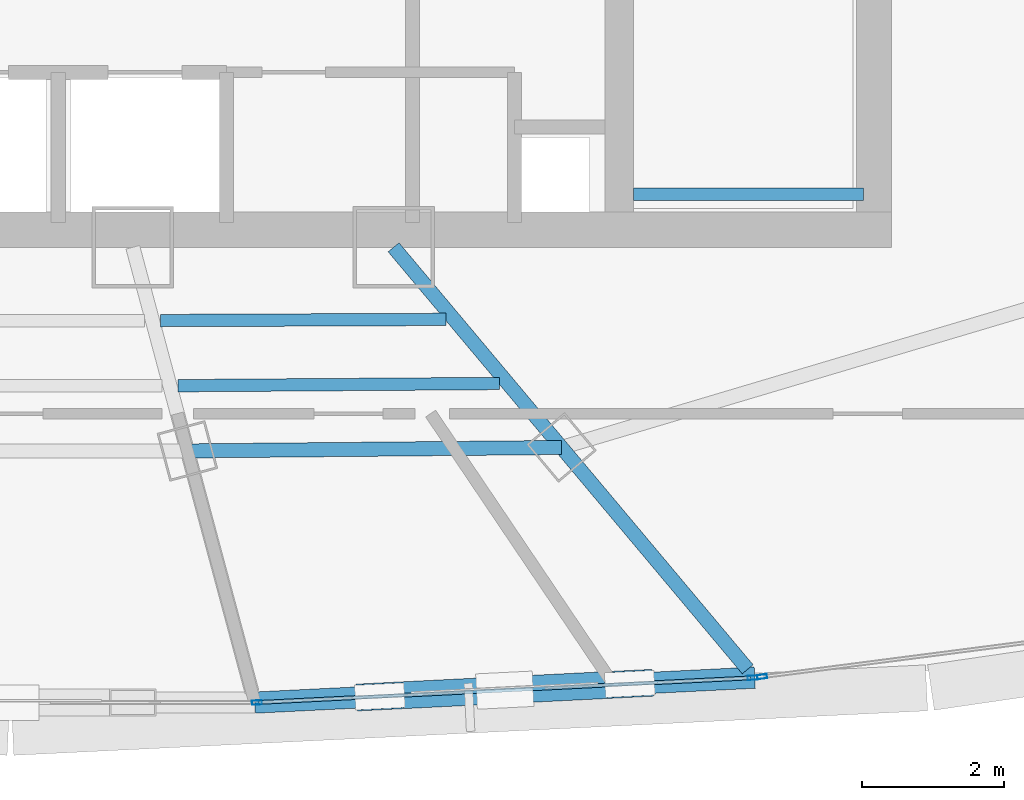
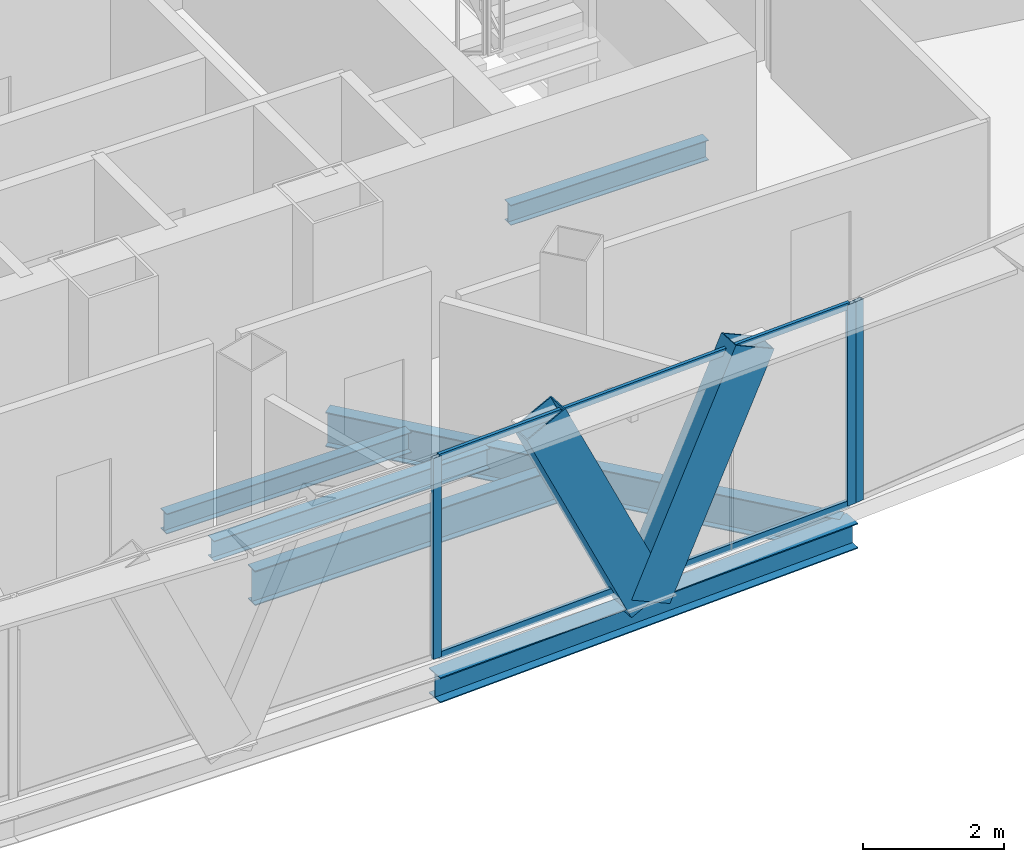
# One storey, part 12 of 33: 7 members, 6 beams, 2 elements without a shape of their own.
"""IFC4 building model written with IfcOpenShell, lengths in metres."""

from ifc_helpers import new_model, si_unit, direction, frame, origin, origin_2d, place, context, subcontext, project, spatial, hollow_rectangle, i_section, extrude, source, transform, mapped, material, layer, layer_set, material_profile, profile_set, type_object, element, aggregate, save


model = new_model("IFC4")

# Units and contexts
model_context = context("Model", 3, precision=1e-05, world=origin(), true_north=direction((0.0, 1.0)))
body_context = subcontext(model_context, "Body", "Model", "MODEL_VIEW")
ifc_project = project(units=[si_unit("LENGTHUNIT", "METRE"), si_unit("AREAUNIT", "SQUARE_METRE"), si_unit("VOLUMEUNIT", "CUBIC_METRE"), si_unit("PLANEANGLEUNIT", "RADIAN"), si_unit("MASSUNIT", "GRAM", prefix="KILO"), si_unit("THERMODYNAMICTEMPERATUREUNIT", "KELVIN"), si_unit("POWERUNIT", "WATT")], contexts=[model_context])

# Site, building, storey
site_placement = place(None, origin())
site = spatial("IfcSite", under=ifc_project, at=site_placement, CompositionType="ELEMENT")
building_placement = place(site_placement, origin())
building = spatial("IfcBuilding", under=site, at=building_placement, Name="Yunzhuo Pagoda Commons", CompositionType="ELEMENT")
storey_placement = place(building_placement, frame((0.0, 0.0, 329.260009765625)))
storey = spatial("IfcBuildingStorey", under=building, at=storey_placement, Name="L82", CompositionType="ELEMENT", Elevation=329.260009765625)

# Beams
ifc_material_1 = material(Name="Structural steel Q355B", Category="steel")
ifc_material_profile_1 = material_profile(ifc_material_1, i_section(OverallWidth=0.175048828125, OverallDepth=0.35009765625, WebThickness=0.007080078125, FlangeThickness=0.010986328125, at=origin_2d()), Name="Structural steel Q355B")
ifc_profile_set_1 = profile_set([ifc_material_profile_1], Name="Structural steel Q355B")
beam_type_1 = type_object("IfcBeamType", Name="B-JS2 Joist HN 350x175x7x11", PredefinedType="JOIST", material=ifc_profile_set_1)
shared_shape_1 = source(origin(), body_context, "Body", "SweptSolid", [
    extrude(i_section(OverallWidth=0.175048828125, OverallDepth=0.35009765625, WebThickness=0.007080078125, FlangeThickness=0.010986328125, at=origin_2d()), origin(), (0.0, 0.0, 1.0), 3.25),
])
beam_1_placement = place(storey_placement, frame((56.800048828125, 28.0, 1.5), z_axis=(1.0, 0.0, 0.0), x_axis=(0.0, 1.0, 0.0)))
element("IfcBeam", 1, at=beam_1_placement, inside=storey, type_object=beam_type_1, Name="L82 ST2 landing support beam 88A", PredefinedType="JOIST", context=body_context, shape_type="MappedRepresentation", body=[
    mapped(shared_shape_1, transform((0.0, 0.0, 0.0), scale=1.0)),
])
ifc_material_profile_2 = material_profile(ifc_material_1, i_section(OverallWidth=0.300048828125, OverallDepth=0.43994140625, WebThickness=0.010986328125, FlangeThickness=0.01806640625, at=origin_2d()), Name="Structural steel Q355B")
ifc_profile_set_2 = profile_set([ifc_material_profile_2], Name="Structural steel Q355B")
beam_type_2 = type_object("IfcBeamType", Name="B-SP2 Beam HM 440x300x11x18", PredefinedType="BEAM", material=ifc_profile_set_2)
shared_shape_2 = source(origin(), body_context, "Body", "SweptSolid", [
    extrude(i_section(OverallWidth=0.300048828125, OverallDepth=0.43994140625, WebThickness=0.010986328125, FlangeThickness=0.01806640625, at=origin_2d()), origin(), (0.0, 0.0, 1.0), 7.0712890625),
])
beam_2_placement = place(storey_placement, frame((51.451904296875, 20.817138671875, -0.47998046875), z_axis=(0.998758186738, 0.049820522105, 0.0), x_axis=(-0.049820522105, 0.998758186738, 0.0)))
element("IfcBeam", 2, at=beam_2_placement, inside=storey, type_object=beam_type_2, Name="L82 facade edge spandrel beam F1.3", PredefinedType="BEAM", context=body_context, shape_type="MappedRepresentation", body=[
    mapped(shared_shape_2, transform((0.0, 0.0, 0.0), scale=1.0)),
])
ifc_material_profile_3 = material_profile(ifc_material_1, i_section(OverallWidth=0.199951171875, OverallDepth=0.60009765625, WebThickness=0.010986328125, FlangeThickness=0.01708984375, at=origin_2d()), Name="Structural steel Q355B")
ifc_profile_set_3 = profile_set([ifc_material_profile_3], Name="Structural steel Q355B")
beam_type_3 = type_object("IfcBeamType", Name="B-RG3 Beam HN 600x200x11x17", PredefinedType="BEAM", material=ifc_profile_set_3)
shared_shape_3 = source(origin(), body_context, "Body", "SweptSolid", [
    extrude(i_section(OverallWidth=0.199951171875, OverallDepth=0.60009765625, WebThickness=0.010986328125, FlangeThickness=0.01708984375, at=origin_2d()), origin(), (0.0, 0.0, 1.0), 5.286376953125),
])
beam_3_placement = place(storey_placement, frame((50.499267578125, 24.372802734375, -0.56005859375), z_axis=(0.999957341442, 0.009236627946, 0.0), x_axis=(-0.009236627946, 0.999957341442, 0.0)))
element("IfcBeam", 3, at=beam_3_placement, inside=storey, type_object=beam_type_3, Name="L82 column-ring beam 3", PredefinedType="BEAM", context=body_context, shape_type="MappedRepresentation", body=[
    mapped(shared_shape_3, transform((0.0, 0.0, 0.0), scale=1.0)),
])
shared_shape_4 = source(origin(), body_context, "Body", "SweptSolid", [
    extrude(i_section(OverallWidth=0.199951171875, OverallDepth=0.60009765625, WebThickness=0.010986328125, FlangeThickness=0.01708984375, at=origin_2d()), origin(), (0.0, 0.0, 1.0), 7.78271484375),
])
beam_4_placement = place(storey_placement, frame((58.414794921875, 21.2880859375, -0.56005859375), z_axis=(-0.642791052162, 0.766041554526, 0.0), x_axis=(-0.766041554526, -0.642791052162, 0.0)))
element("IfcBeam", 4, at=beam_4_placement, inside=storey, type_object=beam_type_3, Name="L82 radial floor girder F1C4", PredefinedType="BEAM", context=body_context, shape_type="MappedRepresentation", body=[
    mapped(shared_shape_4, transform((0.0, 0.0, 0.0), scale=1.0)),
])
shared_shape_5 = source(origin(), body_context, "Body", "SweptSolid", [
    extrude(i_section(OverallWidth=0.175048828125, OverallDepth=0.35009765625, WebThickness=0.007080078125, FlangeThickness=0.010986328125, at=origin_2d()), origin(), (0.0, 0.0, 1.0), 4.03076171875),
])
beam_5_placement = place(storey_placement, frame((50.120849609375, 26.214599609375, -0.43505859375), z_axis=(0.999991518197, 0.004118680996, 0.0), x_axis=(-0.004118680996, 0.999991518197, 0.0)))
element("IfcBeam", 5, at=beam_5_placement, inside=storey, type_object=beam_type_1, Name="L82 composite ring joist 1.3", PredefinedType="JOIST", context=body_context, shape_type="MappedRepresentation", body=[
    mapped(shared_shape_5, transform((0.0, 0.0, 0.0), scale=1.0)),
])
shared_shape_6 = source(origin(), body_context, "Body", "SweptSolid", [
    extrude(i_section(OverallWidth=0.175048828125, OverallDepth=0.35009765625, WebThickness=0.007080078125, FlangeThickness=0.010986328125, at=origin_2d()), origin(), (0.0, 0.0, 1.0), 4.54345703125),
])
beam_6_placement = place(storey_placement, frame((50.367431640625, 25.29443359375, -0.43505859375), z_axis=(0.999975976237, 0.006931590593, 0.0), x_axis=(-0.006931590593, 0.999975976237, 0.0)))
element("IfcBeam", 6, at=beam_6_placement, inside=storey, type_object=beam_type_1, Name="L82 composite ring joist 2.3", PredefinedType="JOIST", context=body_context, shape_type="MappedRepresentation", body=[
    mapped(shared_shape_6, transform((0.0, 0.0, 0.0), scale=1.0)),
])

# Members
ifc_material_profile_4 = material_profile(ifc_material_1, hollow_rectangle(XDim=0.3798828125, YDim=0.719970703125, WallThickness=0.02001953125, at=origin_2d()), Name="Structural steel Q355B")
ifc_profile_set_4 = profile_set([ifc_material_profile_4], Name="Structural steel Q355B")
member_type_1 = type_object("IfcMemberType", Name="M-DL3 Brace BOX 720x380x20", PredefinedType="BRACE", material=ifc_profile_set_4)
shared_shape_7 = source(origin(), body_context, "Body", "SweptSolid", [
    extrude(hollow_rectangle(XDim=0.3798828125, YDim=0.719970703125, WallThickness=0.02001953125, at=origin_2d()), origin(), (0.0, 0.0, 1.0), 4.145751953125),
])
for number, where, z_axis, x_axis, name in (
    (7, (54.983154296875, 20.9931640625, -0.260009765625), (-0.425882304074, -0.021258782048, 0.904528787415), (0.049854961977, -0.998756468197, 0.0), "L82 facade diamond brace F1.3L"),
    (8, (54.983154296875, 20.9931640625, -0.260009765625), (0.425882304074, 0.021258782048, 0.904528787415), (-0.049854961977, 0.998756468197, 0.0), "L82 facade diamond brace F1.3R"),
):
    element("IfcMember", number, at=place(storey_placement, frame(where, z_axis=z_axis, x_axis=x_axis)), inside=storey, type_object=member_type_1, Name=name, PredefinedType="BRACE", context=body_context, shape_type="MappedRepresentation", body=[
        mapped(shared_shape_7, transform((0.0, 0.0, 0.0), scale=1.0)),
    ])

# Curtain wall, members
ifc_material_2 = material(Name="Anodized aluminium 6063-T6", Category="aluminium")
ifc_layer = layer(ifc_material_2, 0.139892578125)
ifc_layer_set = layer_set([ifc_layer], Name="Anodized aluminium 6063-T6")
curtain_wall_type = type_object("IfcCurtainWallType", Name="CW-HI High-Zone Ribbon Curtain Wall", PredefinedType="NOTDEFINED", material=ifc_layer_set)
curtain_wall_1_placement = place(storey_placement, origin())
curtain_wall_1 = element("IfcCurtainWall", 9, at=curtain_wall_1_placement, inside=storey, type_object=curtain_wall_type, Name="L82 curtain wall CW-L82-F1B4", PredefinedType="NOTDEFINED")
ifc_material_profile_5 = material_profile(ifc_material_2, hollow_rectangle(XDim=0.06005859375, YDim=0.139892578125, WallThickness=0.00341796875, at=origin_2d()), Name="Anodized aluminium 6063-T6")
ifc_profile_set_5 = profile_set([ifc_material_profile_5], Name="Anodized aluminium 6063-T6")
member_type_2 = type_object("IfcMemberType", Name="CW-HI-M Mullion RHS 140x60x3.5", PredefinedType="MULLION", material=ifc_profile_set_5)
shared_shape_8 = source(origin(), body_context, "Body", "SweptSolid", [
    extrude(hollow_rectangle(XDim=0.06005859375, YDim=0.139892578125, WallThickness=0.00341796875, at=origin_2d()), origin(), (0.0, 0.0, 1.0), 3.489990234375),
])
member_1_placement = place(storey_placement, frame((51.48193359375, 20.818359375, 0.0), z_axis=(0.0, 0.0, 1.0), x_axis=(-0.049850155702, 0.998756708101, 0.0)))
member_1 = element("IfcMember", 10, at=member_1_placement, type_object=member_type_2, Name="CW mullion 1", PredefinedType="MULLION", context=body_context, shape_type="MappedRepresentation", body=[
    mapped(shared_shape_8, transform((0.0, 0.0, 0.0), scale=1.0)),
])
member_2_placement = place(storey_placement, frame((58.484375, 21.16796875, 0.0), z_axis=(0.0, 0.0, 1.0), x_axis=(-0.049850155702, 0.998756708101, 0.0)))
member_2 = element("IfcMember", 11, at=member_2_placement, type_object=member_type_2, Name="CW mullion 2", PredefinedType="MULLION", context=body_context, shape_type="MappedRepresentation", body=[
    mapped(shared_shape_8, transform((0.0, 0.0, 0.0), scale=1.0)),
])

# Curtain wall, member
curtain_wall_2_placement = place(storey_placement, origin())
curtain_wall_2 = element("IfcCurtainWall", 12, at=curtain_wall_2_placement, inside=storey, type_object=curtain_wall_type, Name="L82 curtain wall CW-L82-F1B5", PredefinedType="NOTDEFINED")
member_3_placement = place(storey_placement, frame((58.61865234375, 21.182861328125, 0.0), z_axis=(0.0, 0.0, 1.0), x_axis=(-0.128276018031, 0.991738505453, 0.0)))
member_3 = element("IfcMember", 13, at=member_3_placement, type_object=member_type_2, Name="CW mullion 1", PredefinedType="MULLION", context=body_context, shape_type="MappedRepresentation", body=[
    mapped(shared_shape_8, transform((0.0, 0.0, 0.0), scale=1.0)),
])
aggregate(curtain_wall_2, [member_3])

# Member
ifc_material_profile_6 = material_profile(ifc_material_2, hollow_rectangle(XDim=0.054931640625, YDim=0.1201171875, WallThickness=0.00341796875, at=origin_2d()), Name="Anodized aluminium 6063-T6")
ifc_profile_set_6 = profile_set([ifc_material_profile_6], Name="Anodized aluminium 6063-T6")
member_type_3 = type_object("IfcMemberType", Name="CW-HI-T Transom RHS 120x55x3.5", PredefinedType="USERDEFINED", material=ifc_profile_set_6)
shared_shape_9 = source(origin(), body_context, "Body", "SweptSolid", [
    extrude(hollow_rectangle(XDim=0.054931640625, YDim=0.1201171875, WallThickness=0.00341796875, at=origin_2d()), origin(), (0.0, 0.0, 1.0), 6.951171875),
])
member_4_placement = place(storey_placement, frame((51.511962890625, 20.81982421875, 0.027587890625), z_axis=(0.99875557743, 0.04987280374, 0.0), x_axis=(-0.04987280374, 0.99875557743, 0.0)))
member_4 = element("IfcMember", 14, at=member_4_placement, type_object=member_type_3, Name="CW transom 1.1", ObjectType="TRANSOM", PredefinedType="USERDEFINED", context=body_context, shape_type="MappedRepresentation", body=[
    mapped(shared_shape_9, transform((0.0, 0.0, 0.0), scale=1.0)),
])

member_5_placement = place(storey_placement, frame((51.511962890625, 20.81982421875, 3.46240234375), z_axis=(0.99875557743, 0.04987280374, 0.0), x_axis=(-0.04987280374, 0.99875557743, 0.0)))
member_5 = element("IfcMember", 15, at=member_5_placement, type_object=member_type_3, Name="CW transom 1.2", ObjectType="TRANSOM", PredefinedType="USERDEFINED", context=body_context, shape_type="MappedRepresentation", body=[
    mapped(shared_shape_9, transform((0.0, 0.0, 0.0), scale=1.0)),
])

aggregate(curtain_wall_1, [member_1, member_2, member_4, member_5])

save(model, "model.ifc")
